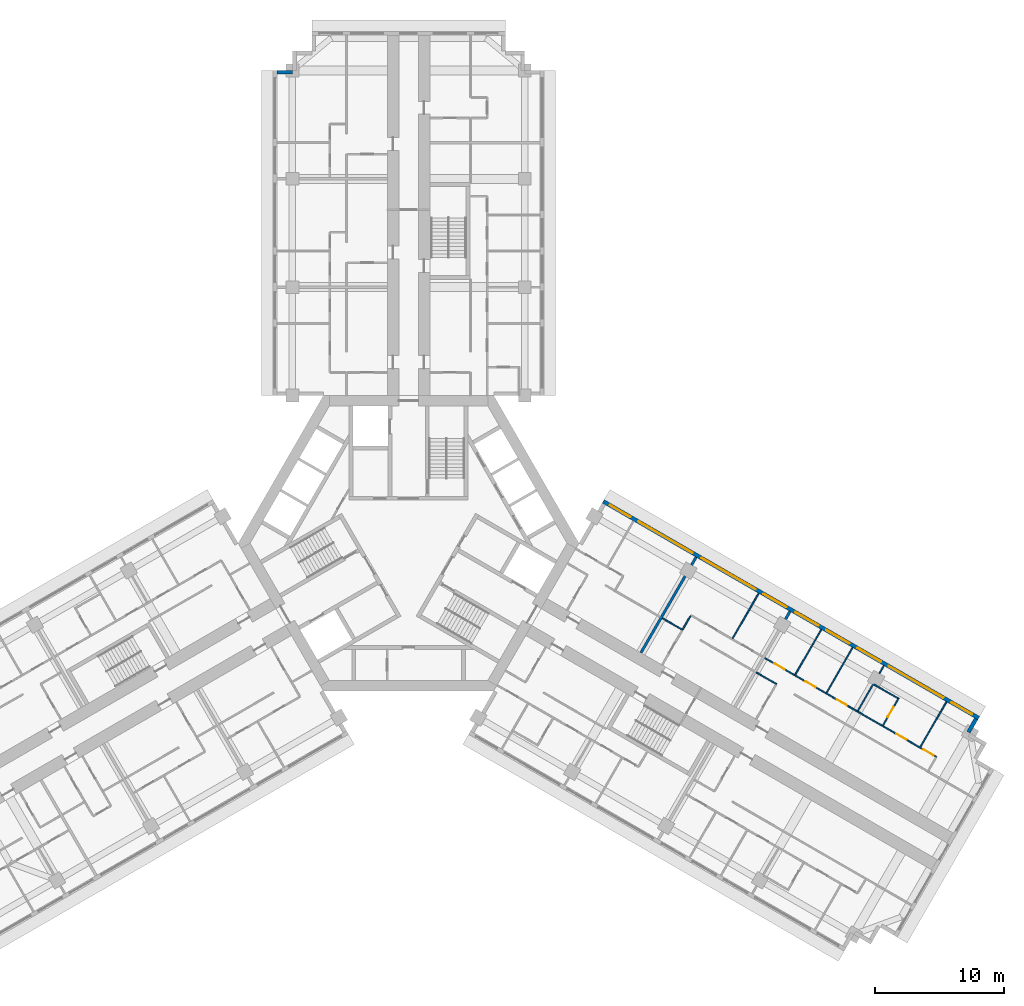
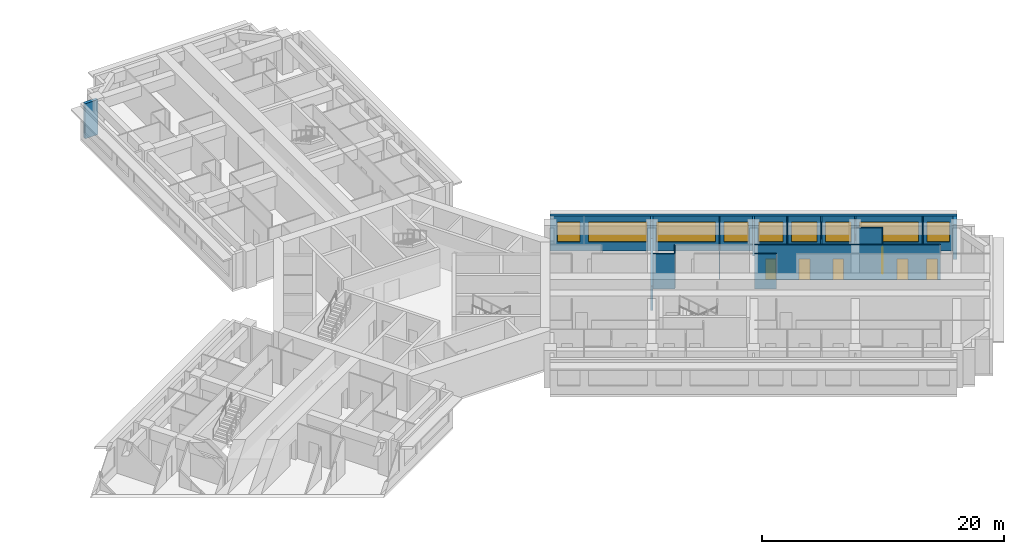
# One storey, part 12 of 14: 18 walls, 9 windows, 6 doors, 15 openings.
"""IFC4 building model written with IfcOpenShell, lengths in metres."""

from ifc_helpers import new_model, si_unit, direction, frame, frame_2d, origin, place, context, subcontext, project, spatial, rectangle, extrude, material, layer, layer_set, type_object, element, fill, save


model = new_model("IFC4")

# Units and contexts
model_context = context("Model", 3, precision=1e-05, world=origin(), true_north=direction((0.0, 1.0)))
body_context = subcontext(model_context, "Body", "Model", "MODEL_VIEW")
ifc_project = project(units=[si_unit("LENGTHUNIT", "METRE"), si_unit("AREAUNIT", "SQUARE_METRE"), si_unit("VOLUMEUNIT", "CUBIC_METRE"), si_unit("PLANEANGLEUNIT", "RADIAN"), si_unit("MASSUNIT", "GRAM", prefix="KILO")], contexts=[model_context])

# Site, building, storey
site_placement = place(None, origin())
site = spatial("IfcSite", under=ifc_project, at=site_placement, CompositionType="ELEMENT")
building_placement = place(site_placement, origin())
building = spatial("IfcBuilding", under=site, at=building_placement, Name="Impinga Residences", CompositionType="ELEMENT")
storey_placement = place(building_placement, frame((0.0, 0.0, 128.5)))
storey = spatial("IfcBuildingStorey", under=building, at=storey_placement, Name="L31", CompositionType="ELEMENT", Elevation=128.5)

# Wall
ifc_material_1 = material(Name="Terracotta rainscreen on blockwork", Category="masonry")
ifc_layer_1 = layer(ifc_material_1, 0.300048828125)
ifc_layer_set_1 = layer_set([ifc_layer_1], Name="EW1 external wall, terracotta rainscreen on blockwork 300")
wall_type_1 = type_object("IfcWallType", Name="EW1 external wall, terracotta rainscreen on blockwork 300", PredefinedType="SOLIDWALL", material=ifc_layer_set_1)
wall_1_placement = place(storey_placement, frame((-10.199951171875, 36.4814453125, 0.0), z_axis=(0.0, 0.0, 1.0), x_axis=(1.0, 0.0, 0.0)))
element("IfcWall", 1, at=wall_1_placement, inside=storey, type_object=wall_type_1, Name="External wall EW1 L31", PredefinedType="SOLIDWALL", context=body_context, shape_type="SweptSolid", body=[
    extrude(rectangle(XDim=1.199951171875, YDim=0.300048828125, at=frame_2d((0.60009765625, 0.0))), origin(), (0.0, 0.0, 1.0), 3.530029296875),
])

# Wall, openings, windows
wall_2_placement = place(storey_placement, frame((15.074951171875, 3.24755859375, 0.0), z_axis=(0.0, 0.0, 1.0), x_axis=(0.866024291668, -0.500001926238, 0.0)))
wall_2 = element("IfcWall", 2, at=wall_2_placement, inside=storey, type_object=wall_type_1, Name="External wall EW1 L31", PredefinedType="SOLIDWALL", context=body_context, shape_type="SweptSolid", body=[
    extrude(rectangle(XDim=33.599853515625, YDim=0.300048828125, at=frame_2d((16.7998046875, 0.0))), origin(), (0.0, 0.0, 1.0), 3.530029296875),
])
opening_1_placement = place(wall_2_placement, frame((0.60009765625, 0.0, 0.89990234375)))
opening_1 = element("IfcOpeningElement", 3, at=opening_1_placement, cuts=wall_2, Name="Opening W15", PredefinedType="OPENING", context=body_context, shape_type="SweptSolid", body=[
    extrude(rectangle(XDim=1.85009765625, YDim=2.050048828125, at=frame_2d((0.925048828125, 1.02490234375))), frame((0.0, 0.159912109375, 0.0), z_axis=(0.0, -1.0, 0.0), x_axis=(1.0, 0.0, 0.0)), (0.0, 0.0, 1.0), 0.320068359375),
])
opening_2_placement = place(wall_2_placement, frame((3.14990234375, 0.0, 0.89990234375)))
opening_2 = element("IfcOpeningElement", 4, at=opening_2_placement, cuts=wall_2, Name="Opening W6", PredefinedType="OPENING", context=body_context, shape_type="SweptSolid", body=[
    extrude(rectangle(XDim=4.85009765625, YDim=2.050048828125, at=frame_2d((2.425048828125, 1.02490234375))), frame((0.0, 0.159912109375, 0.0), z_axis=(0.0, -1.0, 0.0), x_axis=(1.0, 0.0, 0.0)), (0.0, 0.0, 1.0), 0.320068359375),
])
opening_3_placement = place(wall_2_placement, frame((8.800048828125, 0.0, 0.89990234375)))
opening_3 = element("IfcOpeningElement", 5, at=opening_3_placement, cuts=wall_2, Name="Opening W6", PredefinedType="OPENING", context=body_context, shape_type="SweptSolid", body=[
    extrude(rectangle(XDim=4.85009765625, YDim=2.050048828125, at=frame_2d((2.425048828125, 1.02490234375))), frame((0.0, 0.159912109375, 0.0), z_axis=(0.0, -1.0, 0.0), x_axis=(1.0, 0.0, 0.0)), (0.0, 0.0, 1.0), 0.320068359375),
])
opening_4_placement = place(wall_2_placement, frame((14.35009765625, 0.0, 0.89990234375)))
opening_4 = element("IfcOpeningElement", 6, at=opening_4_placement, cuts=wall_2, Name="Opening W14", PredefinedType="OPENING", context=body_context, shape_type="SweptSolid", body=[
    extrude(rectangle(XDim=2.050048828125, YDim=2.050048828125, at=frame_2d((1.02490234375, 1.02490234375))), frame((0.0, 0.159912109375, 0.0), z_axis=(0.0, -1.0, 0.0), x_axis=(1.0, 0.0, 0.0)), (0.0, 0.0, 1.0), 0.320068359375),
])
opening_5_placement = place(wall_2_placement, frame((17.199951171875, 0.0, 0.89990234375)))
opening_5 = element("IfcOpeningElement", 7, at=opening_5_placement, cuts=wall_2, Name="Opening W14", PredefinedType="OPENING", context=body_context, shape_type="SweptSolid", body=[
    extrude(rectangle(XDim=2.050048828125, YDim=2.050048828125, at=frame_2d((1.02490234375, 1.02490234375))), frame((0.0, 0.159912109375, 0.0), z_axis=(0.0, -1.0, 0.0), x_axis=(1.0, 0.0, 0.0)), (0.0, 0.0, 1.0), 0.320068359375),
])
opening_6_placement = place(wall_2_placement, frame((19.949951171875, 0.0, 0.89990234375)))
opening_6 = element("IfcOpeningElement", 8, at=opening_6_placement, cuts=wall_2, Name="Opening W9", PredefinedType="OPENING", context=body_context, shape_type="SweptSolid", body=[
    extrude(rectangle(XDim=2.10009765625, YDim=2.050048828125, at=frame_2d((1.050048828125, 1.02490234375))), frame((0.0, 0.159912109375, 0.0), z_axis=(0.0, -1.0, 0.0), x_axis=(1.0, 0.0, 0.0)), (0.0, 0.0, 1.0), 0.320068359375),
])
opening_7_placement = place(wall_2_placement, frame((22.75, 0.0, 0.89990234375)))
opening_7 = element("IfcOpeningElement", 9, at=opening_7_placement, cuts=wall_2, Name="Opening W9", PredefinedType="OPENING", context=body_context, shape_type="SweptSolid", body=[
    extrude(rectangle(XDim=2.10009765625, YDim=2.050048828125, at=frame_2d((1.050048828125, 1.02490234375))), frame((0.0, 0.159912109375, 0.0), z_axis=(0.0, -1.0, 0.0), x_axis=(1.0, 0.0, 0.0)), (0.0, 0.0, 1.0), 0.320068359375),
])
opening_8_placement = place(wall_2_placement, frame((25.550048828125, 0.0, 0.89990234375)))
opening_8 = element("IfcOpeningElement", 10, at=opening_8_placement, cuts=wall_2, Name="Opening W16", PredefinedType="OPENING", context=body_context, shape_type="SweptSolid", body=[
    extrude(rectangle(XDim=4.89990234375, YDim=2.050048828125, at=frame_2d((2.449951171875, 1.02490234375))), frame((0.0, 0.159912109375, 0.0), z_axis=(0.0, -1.0, 0.0), x_axis=(1.0, 0.0, 0.0)), (0.0, 0.0, 1.0), 0.320068359375),
])
opening_9_placement = place(wall_2_placement, frame((31.14990234375, 0.0, 0.89990234375)))
opening_9 = element("IfcOpeningElement", 11, at=opening_9_placement, cuts=wall_2, Name="Opening W15", PredefinedType="OPENING", context=body_context, shape_type="SweptSolid", body=[
    extrude(rectangle(XDim=1.85009765625, YDim=2.050048828125, at=frame_2d((0.925048828125, 1.02490234375))), frame((0.0, 0.159912109375, 0.0), z_axis=(0.0, -1.0, 0.0), x_axis=(1.0, 0.0, 0.0)), (0.0, 0.0, 1.0), 0.320068359375),
])
ifc_material_2 = material(Name="Aluminium window, clear double glazing", Category="aluminium")
window_type_1 = type_object("IfcWindowType", Name="W14 ribbon window 2050x2050", PartitioningType="SINGLE_PANEL", PredefinedType="WINDOW", material=ifc_material_2)
window_1_placement = place(opening_4_placement, origin())
window_1 = element("IfcWindow", 12, at=window_1_placement, inside=storey, type_object=window_type_1, Name="Window L31", OverallHeight=2.050048828125, OverallWidth=2.050048828125, PartitioningType="SINGLE_PANEL", PredefinedType="WINDOW", context=body_context, shape_type="SweptSolid", body=[
    extrude(rectangle(XDim=2.050048828125, YDim=2.050048828125, at=frame_2d((1.02490234375, 1.02490234375))), frame((0.0, 0.030029296875, 0.0), z_axis=(0.0, -1.0, 0.0), x_axis=(1.0, 0.0, 0.0)), (0.0, 0.0, 1.0), 0.06005859375),
])
fill(opening_4, window_1)
window_2_placement = place(opening_5_placement, origin())
window_2 = element("IfcWindow", 13, at=window_2_placement, inside=storey, type_object=window_type_1, Name="Window L31", OverallHeight=2.050048828125, OverallWidth=2.050048828125, PartitioningType="SINGLE_PANEL", PredefinedType="WINDOW", context=body_context, shape_type="SweptSolid", body=[
    extrude(rectangle(XDim=2.050048828125, YDim=2.050048828125, at=frame_2d((1.02490234375, 1.02490234375))), frame((0.0, 0.030029296875, 0.0), z_axis=(0.0, -1.0, 0.0), x_axis=(1.0, 0.0, 0.0)), (0.0, 0.0, 1.0), 0.06005859375),
])
fill(opening_5, window_2)
window_type_2 = type_object("IfcWindowType", Name="W15 ribbon window 1850x2050", PartitioningType="SINGLE_PANEL", PredefinedType="WINDOW", material=ifc_material_2)
window_3_placement = place(opening_1_placement, origin())
window_3 = element("IfcWindow", 14, at=window_3_placement, inside=storey, type_object=window_type_2, Name="Window L31", OverallHeight=2.050048828125, OverallWidth=1.85009765625, PartitioningType="SINGLE_PANEL", PredefinedType="WINDOW", context=body_context, shape_type="SweptSolid", body=[
    extrude(rectangle(XDim=1.85009765625, YDim=2.050048828125, at=frame_2d((0.925048828125, 1.02490234375))), frame((0.0, 0.030029296875, 0.0), z_axis=(0.0, -1.0, 0.0), x_axis=(1.0, 0.0, 0.0)), (0.0, 0.0, 1.0), 0.06005859375),
])
fill(opening_1, window_3)
window_4_placement = place(opening_9_placement, origin())
window_4 = element("IfcWindow", 15, at=window_4_placement, inside=storey, type_object=window_type_2, Name="Window L31", OverallHeight=2.050048828125, OverallWidth=1.85009765625, PartitioningType="SINGLE_PANEL", PredefinedType="WINDOW", context=body_context, shape_type="SweptSolid", body=[
    extrude(rectangle(XDim=1.85009765625, YDim=2.050048828125, at=frame_2d((0.925048828125, 1.02490234375))), frame((0.0, 0.030029296875, 0.0), z_axis=(0.0, -1.0, 0.0), x_axis=(1.0, 0.0, 0.0)), (0.0, 0.0, 1.0), 0.06005859375),
])
fill(opening_9, window_4)
window_type_3 = type_object("IfcWindowType", Name="W16 ribbon window 4900x2050", PartitioningType="SINGLE_PANEL", PredefinedType="WINDOW", material=ifc_material_2)
window_5_placement = place(opening_8_placement, origin())
window_5 = element("IfcWindow", 16, at=window_5_placement, inside=storey, type_object=window_type_3, Name="Window L31", OverallHeight=2.050048828125, OverallWidth=4.89990234375, PartitioningType="SINGLE_PANEL", PredefinedType="WINDOW", context=body_context, shape_type="SweptSolid", body=[
    extrude(rectangle(XDim=4.89990234375, YDim=2.050048828125, at=frame_2d((2.449951171875, 1.02490234375))), frame((0.0, 0.030029296875, 0.0), z_axis=(0.0, -1.0, 0.0), x_axis=(1.0, 0.0, 0.0)), (0.0, 0.0, 1.0), 0.06005859375),
])
fill(opening_8, window_5)
window_type_4 = type_object("IfcWindowType", Name="W6 ribbon window 4850x2050", PartitioningType="SINGLE_PANEL", PredefinedType="WINDOW", material=ifc_material_2)
window_6_placement = place(opening_2_placement, origin())
window_6 = element("IfcWindow", 17, at=window_6_placement, inside=storey, type_object=window_type_4, Name="Window L31", OverallHeight=2.050048828125, OverallWidth=4.85009765625, PartitioningType="SINGLE_PANEL", PredefinedType="WINDOW", context=body_context, shape_type="SweptSolid", body=[
    extrude(rectangle(XDim=4.85009765625, YDim=2.050048828125, at=frame_2d((2.425048828125, 1.02490234375))), frame((0.0, 0.030029296875, 0.0), z_axis=(0.0, -1.0, 0.0), x_axis=(1.0, 0.0, 0.0)), (0.0, 0.0, 1.0), 0.06005859375),
])
fill(opening_2, window_6)
window_7_placement = place(opening_3_placement, origin())
window_7 = element("IfcWindow", 18, at=window_7_placement, inside=storey, type_object=window_type_4, Name="Window L31", OverallHeight=2.050048828125, OverallWidth=4.85009765625, PartitioningType="SINGLE_PANEL", PredefinedType="WINDOW", context=body_context, shape_type="SweptSolid", body=[
    extrude(rectangle(XDim=4.85009765625, YDim=2.050048828125, at=frame_2d((2.425048828125, 1.02490234375))), frame((0.0, 0.030029296875, 0.0), z_axis=(0.0, -1.0, 0.0), x_axis=(1.0, 0.0, 0.0)), (0.0, 0.0, 1.0), 0.06005859375),
])
fill(opening_3, window_7)
window_type_5 = type_object("IfcWindowType", Name="W9 ribbon window 2100x2050", PartitioningType="SINGLE_PANEL", PredefinedType="WINDOW", material=ifc_material_2)
window_8_placement = place(opening_6_placement, origin())
window_8 = element("IfcWindow", 19, at=window_8_placement, inside=storey, type_object=window_type_5, Name="Window L31", OverallHeight=2.050048828125, OverallWidth=2.10009765625, PartitioningType="SINGLE_PANEL", PredefinedType="WINDOW", context=body_context, shape_type="SweptSolid", body=[
    extrude(rectangle(XDim=2.10009765625, YDim=2.050048828125, at=frame_2d((1.050048828125, 1.02490234375))), frame((0.0, 0.030029296875, 0.0), z_axis=(0.0, -1.0, 0.0), x_axis=(1.0, 0.0, 0.0)), (0.0, 0.0, 1.0), 0.06005859375),
])
fill(opening_6, window_8)
window_9_placement = place(opening_7_placement, origin())
window_9 = element("IfcWindow", 20, at=window_9_placement, inside=storey, type_object=window_type_5, Name="Window L31", OverallHeight=2.050048828125, OverallWidth=2.10009765625, PartitioningType="SINGLE_PANEL", PredefinedType="WINDOW", context=body_context, shape_type="SweptSolid", body=[
    extrude(rectangle(XDim=2.10009765625, YDim=2.050048828125, at=frame_2d((1.050048828125, 1.02490234375))), frame((0.0, 0.030029296875, 0.0), z_axis=(0.0, -1.0, 0.0), x_axis=(1.0, 0.0, 0.0)), (0.0, 0.0, 1.0), 0.06005859375),
])
fill(opening_7, window_9)

# Walls
wall_3_placement = place(storey_placement, frame((43.968505859375, -13.607421875, 0.0), z_axis=(0.0, 0.0, 1.0), x_axis=(-0.500029051137, -0.866008630453, 0.0)))
element("IfcWall", 21, at=wall_3_placement, inside=storey, type_object=wall_type_1, Name="External wall EW1 L31", PredefinedType="SOLIDWALL", context=body_context, shape_type="SweptSolid", body=[
    extrude(rectangle(XDim=1.19482421875, YDim=0.300048828125, at=frame_2d((0.597412109375, 0.0))), origin(), (0.0, 0.0, 1.0), 3.530029296875),
])
ifc_material_3 = material(Name="Gypsum board on steel studs", Category="steel")
ifc_layer_2 = layer(ifc_material_3, 0.10009765625)
ifc_layer_set_2 = layer_set([ifc_layer_2], Name="Gypsum board on steel studs")
wall_type_2 = type_object("IfcWallType", Name="IP1 partition 100", PredefinedType="PARTITIONING", material=ifc_layer_set_2)
wall_4_placement = place(storey_placement, frame((19.6611328125, -5.808837890625, 0.0), z_axis=(0.0, 0.0, 1.0), x_axis=(0.866047807691, -0.499961193289, 0.0)))
element("IfcWall", 22, at=wall_4_placement, inside=storey, type_object=wall_type_2, Name="Partition L31-EA2:DIV0", PredefinedType="PARTITIONING", context=body_context, shape_type="SweptSolid", body=[
    extrude(rectangle(XDim=1.800048828125, YDim=0.10009765625, at=frame_2d((0.89990234375, 0.0))), origin(), (0.0, 0.0, 1.0), 3.530029296875),
])
wall_5_placement = place(storey_placement, frame((21.2451171875, -6.66552734375, 0.0), z_axis=(0.0, 0.0, 1.0), x_axis=(0.499880961361, 0.866094119867, 0.0)))
element("IfcWall", 23, at=wall_5_placement, inside=storey, type_object=wall_type_2, Name="Partition L31-EA2:SE0", PredefinedType="PARTITIONING", context=body_context, shape_type="SweptSolid", body=[
    extrude(rectangle(XDim=1.199951171875, YDim=0.10009765625, at=frame_2d((0.60009765625, 0.0))), origin(), (0.0, 0.0, 1.0), 3.530029296875),
])
wall_6_placement = place(storey_placement, frame((25.099365234375, -7.3896484375, 0.0), z_axis=(0.0, 0.0, 1.0), x_axis=(0.499990325971, 0.866030989016, 0.0)))
element("IfcWall", 24, at=wall_6_placement, inside=storey, type_object=wall_type_2, Name="Partition L31-EA2:OB1", PredefinedType="PARTITIONING", context=body_context, shape_type="SweptSolid", body=[
    extrude(rectangle(XDim=4.0498046875, YDim=0.10009765625, at=frame_2d((2.02490234375, 0.0))), origin(), (0.0, 0.0, 1.0), 3.530029296875),
])
wall_7_placement = place(storey_placement, frame((26.935791015625, -10.0087890625, 0.0), z_axis=(0.0, 0.0, 1.0), x_axis=(0.865989075817, -0.500062916607, 0.0)))
element("IfcWall", 25, at=wall_7_placement, inside=storey, type_object=wall_type_2, Name="Partition L31-EA3:DIV0", PredefinedType="PARTITIONING", context=body_context, shape_type="SweptSolid", body=[
    extrude(rectangle(XDim=1.800048828125, YDim=0.10009765625, at=frame_2d((0.89990234375, 0.0))), origin(), (0.0, 0.0, 1.0), 3.530029296875),
])

# Wall, openings, doors
wall_8_placement = place(storey_placement, frame((27.5859375, -8.883056640625, 0.0), z_axis=(0.0, 0.0, 1.0), x_axis=(0.866023490266, -0.500003314297, 0.0)))
wall_8 = element("IfcWall", 26, at=wall_8_placement, inside=storey, type_object=wall_type_2, Name="Partition L31-EA3:STRIP", PredefinedType="PARTITIONING", context=body_context, shape_type="SweptSolid", body=[
    extrude(rectangle(XDim=15.35009765625, YDim=0.10009765625, at=frame_2d((7.675048828125, 0.0))), origin(), (0.0, 0.0, 1.0), 3.530029296875),
])
opening_10_placement = place(wall_8_placement, frame((0.875, 0.0, 0.0)))
opening_10 = element("IfcOpeningElement", 27, at=opening_10_placement, cuts=wall_8, Name="Opening D2", PredefinedType="OPENING", context=body_context, shape_type="SweptSolid", body=[
    extrude(rectangle(XDim=0.89990234375, YDim=2.10009765625, at=frame_2d((0.449951171875, 1.050048828125))), frame((0.0, 0.06005859375, 0.0), z_axis=(0.0, -1.0, 0.0), x_axis=(1.0, 0.0, 0.0)), (0.0, 0.0, 1.0), 0.1201171875),
])
opening_11_placement = place(wall_8_placement, frame((3.64990234375, 0.0, 0.0)))
opening_11 = element("IfcOpeningElement", 28, at=opening_11_placement, cuts=wall_8, Name="Opening D2", PredefinedType="OPENING", context=body_context, shape_type="SweptSolid", body=[
    extrude(rectangle(XDim=0.89990234375, YDim=2.10009765625, at=frame_2d((0.449951171875, 1.050048828125))), frame((0.0, 0.06005859375, 0.0), z_axis=(0.0, -1.0, 0.0), x_axis=(1.0, 0.0, 0.0)), (0.0, 0.0, 1.0), 0.1201171875),
])
opening_12_placement = place(wall_8_placement, frame((6.449951171875, 0.0, 0.0)))
opening_12 = element("IfcOpeningElement", 29, at=opening_12_placement, cuts=wall_8, Name="Opening D2", PredefinedType="OPENING", context=body_context, shape_type="SweptSolid", body=[
    extrude(rectangle(XDim=0.89990234375, YDim=2.10009765625, at=frame_2d((0.449951171875, 1.050048828125))), frame((0.0, 0.06005859375, 0.0), z_axis=(0.0, -1.0, 0.0), x_axis=(1.0, 0.0, 0.0)), (0.0, 0.0, 1.0), 0.1201171875),
])
opening_13_placement = place(wall_8_placement, frame((11.77490234375, 0.0, 0.0)))
opening_13 = element("IfcOpeningElement", 30, at=opening_13_placement, cuts=wall_8, Name="Opening D2", PredefinedType="OPENING", context=body_context, shape_type="SweptSolid", body=[
    extrude(rectangle(XDim=0.89990234375, YDim=2.10009765625, at=frame_2d((0.449951171875, 1.050048828125))), frame((0.0, 0.06005859375, 0.0), z_axis=(0.0, -1.0, 0.0), x_axis=(1.0, 0.0, 0.0)), (0.0, 0.0, 1.0), 0.1201171875),
])
opening_14_placement = place(wall_8_placement, frame((14.199951171875, 0.0, 0.0)))
opening_14 = element("IfcOpeningElement", 31, at=opening_14_placement, cuts=wall_8, Name="Opening D2", PredefinedType="OPENING", context=body_context, shape_type="SweptSolid", body=[
    extrude(rectangle(XDim=0.89990234375, YDim=2.10009765625, at=frame_2d((0.449951171875, 1.050048828125))), frame((0.0, 0.06005859375, 0.0), z_axis=(0.0, -1.0, 0.0), x_axis=(1.0, 0.0, 0.0)), (0.0, 0.0, 1.0), 0.1201171875),
])
ifc_material_4 = material(Name="Timber door set", Category="wood")
door_type = type_object("IfcDoorType", Name="D2 internal door 900x2100", OperationType="SINGLE_SWING_LEFT", PredefinedType="DOOR", material=ifc_material_4)
door_1_placement = place(opening_10_placement, origin())
door_1 = element("IfcDoor", 32, at=door_1_placement, inside=storey, type_object=door_type, Name="Apartment L31-EA3 room door", OperationType="SINGLE_SWING_LEFT", OverallHeight=2.10009765625, OverallWidth=0.89990234375, PredefinedType="DOOR", context=body_context, shape_type="SweptSolid", body=[
    extrude(rectangle(XDim=0.89990234375, YDim=2.10009765625, at=frame_2d((0.449951171875, 1.050048828125))), frame((0.0, 0.02490234375, 0.0), z_axis=(0.0, -1.0, 0.0), x_axis=(1.0, 0.0, 0.0)), (0.0, 0.0, 1.0), 0.050048828125),
])
fill(opening_10, door_1)
door_2_placement = place(opening_11_placement, origin())
door_2 = element("IfcDoor", 33, at=door_2_placement, inside=storey, type_object=door_type, Name="Apartment L31-EA3 room door", OperationType="SINGLE_SWING_LEFT", OverallHeight=2.10009765625, OverallWidth=0.89990234375, PredefinedType="DOOR", context=body_context, shape_type="SweptSolid", body=[
    extrude(rectangle(XDim=0.89990234375, YDim=2.10009765625, at=frame_2d((0.449951171875, 1.050048828125))), frame((0.0, 0.02490234375, 0.0), z_axis=(0.0, -1.0, 0.0), x_axis=(1.0, 0.0, 0.0)), (0.0, 0.0, 1.0), 0.050048828125),
])
fill(opening_11, door_2)
door_3_placement = place(opening_12_placement, origin())
door_3 = element("IfcDoor", 34, at=door_3_placement, inside=storey, type_object=door_type, Name="Apartment L31-EA3 room door", OperationType="SINGLE_SWING_LEFT", OverallHeight=2.10009765625, OverallWidth=0.89990234375, PredefinedType="DOOR", context=body_context, shape_type="SweptSolid", body=[
    extrude(rectangle(XDim=0.89990234375, YDim=2.10009765625, at=frame_2d((0.449951171875, 1.050048828125))), frame((0.0, 0.02490234375, 0.0), z_axis=(0.0, -1.0, 0.0), x_axis=(1.0, 0.0, 0.0)), (0.0, 0.0, 1.0), 0.050048828125),
])
fill(opening_12, door_3)
door_4_placement = place(opening_13_placement, origin())
door_4 = element("IfcDoor", 35, at=door_4_placement, inside=storey, type_object=door_type, Name="Apartment L31-EA3 room door", OperationType="SINGLE_SWING_RIGHT", OverallHeight=2.10009765625, OverallWidth=0.89990234375, PredefinedType="DOOR", context=body_context, shape_type="SweptSolid", body=[
    extrude(rectangle(XDim=0.89990234375, YDim=2.10009765625, at=frame_2d((0.449951171875, 1.050048828125))), frame((0.0, 0.02490234375, 0.0), z_axis=(0.0, -1.0, 0.0), x_axis=(1.0, 0.0, 0.0)), (0.0, 0.0, 1.0), 0.050048828125),
])
fill(opening_13, door_4)
door_5_placement = place(opening_14_placement, origin())
door_5 = element("IfcDoor", 36, at=door_5_placement, inside=storey, type_object=door_type, Name="Apartment L31-EA3 room door", OperationType="SINGLE_SWING_RIGHT", OverallHeight=2.10009765625, OverallWidth=0.89990234375, PredefinedType="DOOR", context=body_context, shape_type="SweptSolid", body=[
    extrude(rectangle(XDim=0.89990234375, YDim=2.10009765625, at=frame_2d((0.449951171875, 1.050048828125))), frame((0.0, 0.02490234375, 0.0), z_axis=(0.0, -1.0, 0.0), x_axis=(1.0, 0.0, 0.0)), (0.0, 0.0, 1.0), 0.050048828125),
])
fill(opening_14, door_5)

# Walls
for number, where, z_axis, x_axis, name in (
    (37, (29.94921875, -10.189697265625, 0.0), (0.0, 0.0, 1.0), (0.499990325971, 0.866030989016, 0.0), "Partition L31-EA3:OB1"),
    (38, (32.3740234375, -11.589599609375, 0.0), (0.0, 0.0, 1.0), (0.499990325971, 0.866030989016, 0.0), "Partition L31-EA3:OB2"),
):
    element("IfcWall", number, at=place(storey_placement, frame(where, z_axis=z_axis, x_axis=x_axis)), inside=storey, type_object=wall_type_2, Name=name, PredefinedType="PARTITIONING", context=body_context, shape_type="SweptSolid", body=[
        extrude(rectangle(XDim=4.0498046875, YDim=0.10009765625, at=frame_2d((2.02490234375, 0.0))), origin(), (0.0, 0.0, 1.0), 3.530029296875),
    ])
wall_9_placement = place(storey_placement, frame((34.798828125, -12.98974609375, 0.0), z_axis=(0.0, 0.0, 1.0), x_axis=(0.500016218704, 0.866016039709, 0.0)))
element("IfcWall", 39, at=wall_9_placement, inside=storey, type_object=wall_type_2, Name="Partition L31-EA3:OB3", PredefinedType="PARTITIONING", context=body_context, shape_type="SweptSolid", body=[
    extrude(rectangle(XDim=2.35009765625, YDim=0.10009765625, at=frame_2d((1.175048828125, 0.0))), origin(), (0.0, 0.0, 1.0), 2.47998046875),
])
wall_10_placement = place(storey_placement, frame((36.473876953125, -10.088623046875, 0.0), z_axis=(0.0, 0.0, 1.0), x_axis=(0.499853302173, 0.866110083249, 0.0)))
element("IfcWall", 40, at=wall_10_placement, inside=storey, type_object=wall_type_2, Name="Partition L31-EA3:OB3b", PredefinedType="PARTITIONING", context=body_context, shape_type="SweptSolid", body=[
    extrude(rectangle(XDim=0.699951171875, YDim=0.10009765625, at=frame_2d((0.35009765625, 0.0))), origin(), (0.0, 0.0, 1.0), 3.530029296875),
])
wall_11_placement = place(storey_placement, frame((39.648681640625, -15.789794921875, 0.0), z_axis=(0.0, 0.0, 1.0), x_axis=(0.499964223975, 0.866046058097, 0.0)))
element("IfcWall", 41, at=wall_11_placement, inside=storey, type_object=wall_type_2, Name="Partition L31-EA3:OB4", PredefinedType="PARTITIONING", context=body_context, shape_type="SweptSolid", body=[
    extrude(rectangle(XDim=4.050048828125, YDim=0.10009765625, at=frame_2d((2.02490234375, 0.0))), origin(), (0.0, 0.0, 1.0), 3.530029296875),
])

# Wall, opening, door
wall_12_placement = place(storey_placement, frame((36.747314453125, -14.11474609375, 0.0), z_axis=(0.0, 0.0, 1.0), x_axis=(0.500018594424, 0.866014668023, 0.0)))
wall_12 = element("IfcWall", 42, at=wall_12_placement, inside=storey, type_object=wall_type_2, Name="Partition L31-EA3:EN1", PredefinedType="PARTITIONING", context=body_context, shape_type="SweptSolid", body=[
    extrude(rectangle(XDim=2.4501953125, YDim=0.10009765625, at=frame_2d((1.22509765625, 0.0))), origin(), (0.0, 0.0, 1.0), 3.530029296875),
])
opening_15_placement = place(wall_12_placement, frame((0.75, 0.0, 0.0)))
opening_15 = element("IfcOpeningElement", 43, at=opening_15_placement, cuts=wall_12, Name="Opening D2", PredefinedType="OPENING", context=body_context, shape_type="SweptSolid", body=[
    extrude(rectangle(XDim=0.89990234375, YDim=2.10009765625, at=frame_2d((0.449951171875, 1.050048828125))), frame((0.0, 0.06005859375, 0.0), z_axis=(0.0, -1.0, 0.0), x_axis=(1.0, 0.0, 0.0)), (0.0, 0.0, 1.0), 0.1201171875),
])
door_6_placement = place(opening_15_placement, origin())
door_6 = element("IfcDoor", 44, at=door_6_placement, inside=storey, type_object=door_type, Name="Apartment L31-EA3 en-suite door", OperationType="SINGLE_SWING_LEFT", OverallHeight=2.10009765625, OverallWidth=0.89990234375, PredefinedType="DOOR", context=body_context, shape_type="SweptSolid", body=[
    extrude(rectangle(XDim=0.89990234375, YDim=2.10009765625, at=frame_2d((0.449951171875, 1.050048828125))), frame((0.0, 0.02490234375, 0.0), z_axis=(0.0, -1.0, 0.0), x_axis=(1.0, 0.0, 0.0)), (0.0, 0.0, 1.0), 0.050048828125),
])
fill(opening_15, door_6)

# Walls
wall_13_placement = place(storey_placement, frame((36.042236328125, -10.936279296875, 0.0), z_axis=(0.0, 0.0, 1.0), x_axis=(0.866019166195, -0.500010803666, 0.0)))
element("IfcWall", 45, at=wall_13_placement, inside=storey, type_object=wall_type_2, Name="Partition L31-EA3:EN2", PredefinedType="PARTITIONING", context=body_context, shape_type="SweptSolid", body=[
    extrude(rectangle(XDim=2.14990234375, YDim=0.10009765625, at=frame_2d((1.074951171875, 0.0))), origin(), (0.0, 0.0, 1.0), 3.530029296875),
])
ifc_material_5 = material(Name="Concrete blockwork", Category="masonry")
ifc_layer_3 = layer(ifc_material_5, 0.199951171875)
ifc_layer_set_3 = layer_set([ifc_layer_3], Name="PW1 party wall between apartments 200")
wall_type_3 = type_object("IfcWallType", Name="PW1 party wall between apartments 200", PredefinedType="SOLIDWALL", material=ifc_layer_set_3)
wall_14_placement = place(storey_placement, frame((17.99951171875, -8.48681640625, 0.0), z_axis=(0.0, 0.0, 1.0), x_axis=(0.499999086063, 0.866025931445, 0.0)))
element("IfcWall", 46, at=wall_14_placement, inside=storey, type_object=wall_type_3, Name="Party wall between apartments L31-EA1:PARTY", PredefinedType="SOLIDWALL", context=body_context, shape_type="SweptSolid", body=[
    extrude(rectangle(XDim=6.85009765625, YDim=0.199951171875, at=frame_2d((3.425048828125, 0.0))), origin(), (0.0, 0.0, 1.0), 2.47998046875),
])
for number, where, z_axis, x_axis, name in (
    (47, (21.924560546875, -1.6884765625, 0.0), (0.0, 0.0, 1.0), (0.500114896893, 0.865959057869, 0.0), "Party wall between apartments L31-EA1:PARTYb"),
    (48, (29.19921875, -5.888427734375, 0.0), (0.0, 0.0, 1.0), (0.500114896893, 0.865959057869, 0.0), "Party wall between apartments L31-EA2:PARTYb"),
):
    element("IfcWall", number, at=place(storey_placement, frame(where, z_axis=z_axis, x_axis=x_axis)), inside=storey, type_object=wall_type_3, Name=name, PredefinedType="SOLIDWALL", context=body_context, shape_type="SweptSolid", body=[
        extrude(rectangle(XDim=0.699951171875, YDim=0.199951171875, at=frame_2d((0.35009765625, 0.0))), origin(), (0.0, 0.0, 1.0), 3.530029296875),
    ])

save(model, "model.ifc")
